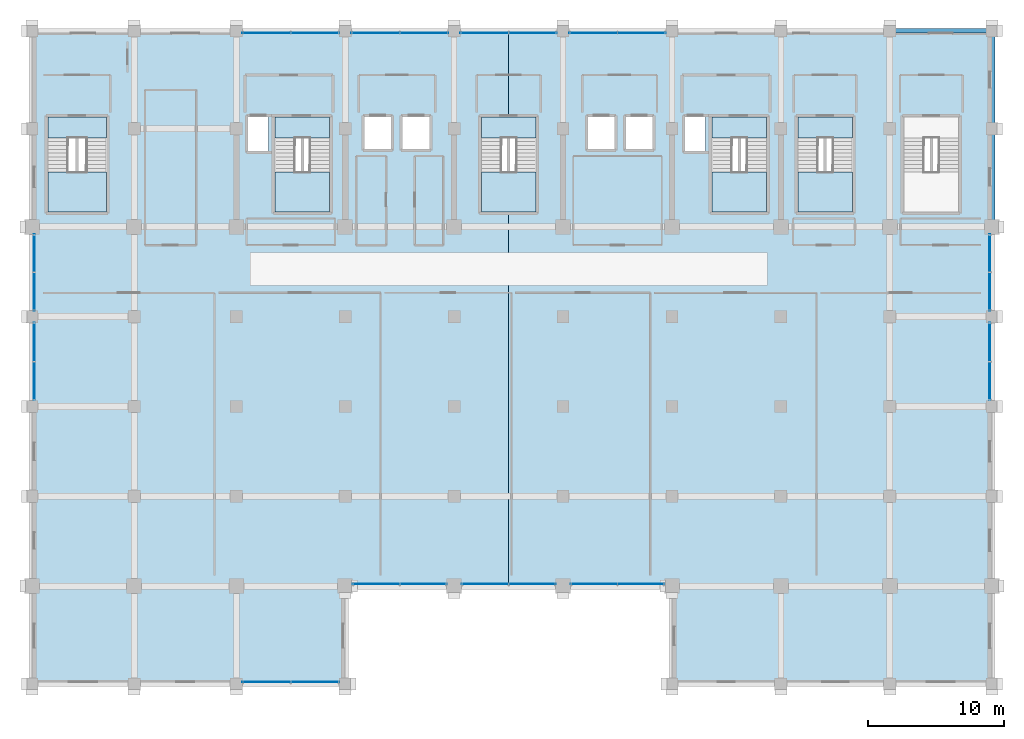
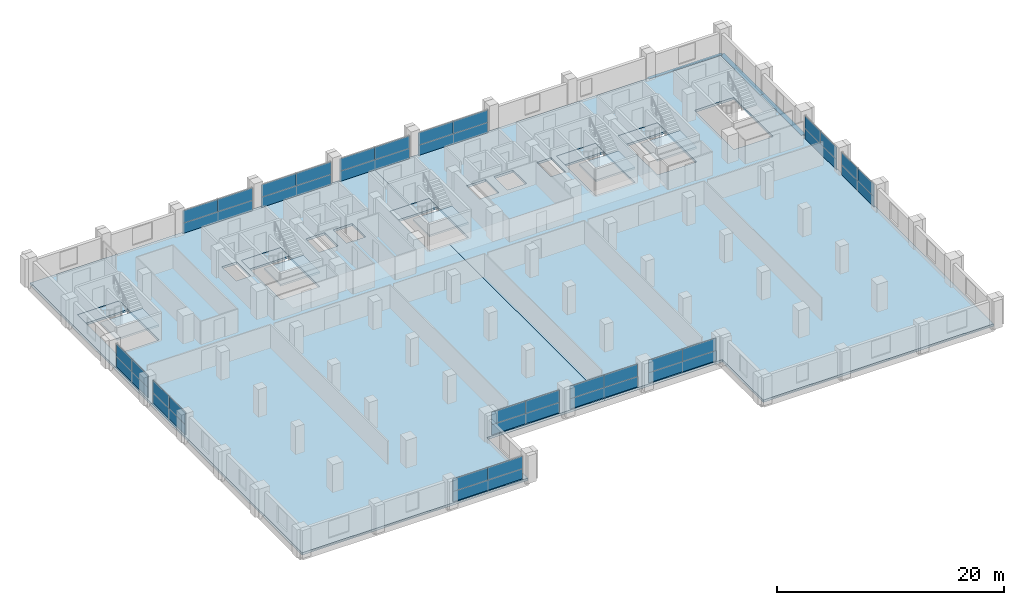
# One storey, part 15 of 21: 36 plates, 12 slabs, 3 beams, 17 elements without a shape of their own.
"""IFC4 building model written with IfcOpenShell, lengths in metres."""

import ifcopenshell
import ifcopenshell.guid

model = None  # the IFC model being written
_history = None  # IfcOwnerHistory: only IFC2X3 demands one
_inside = {}  # id of a spatial element -> (the spatial element, [elements in it])
_under = {}  # id of a project, library or spatial element -> (it, [spatial elements below it])
_declared = {}  # id of a project -> (the project, [libraries it declares])
_typed = {}  # id of a type object -> (the type object, [elements of that type])
_made_of = {}  # id of a material, layer set ... -> (it, [elements and type objects made of it])


def new_model(schema):
    """Start an empty IFC model of exactly this schema.

    Asked for "IFC4X3", IfcOpenShell would pick the latest addendum, in which some entities
    have other attributes; the version numbers below select the first issue.
    IFC2X3 requires an IfcOwnerHistory on every rooted entity: one is made here for all.
    """
    global model, _history
    if schema == "IFC4X3":
        model = ifcopenshell.file(schema_version=(4, 3, 0, 0))
    else:
        model = ifcopenshell.file(schema=schema)
    _inside.clear()
    _under.clear()
    _declared.clear()
    _typed.clear()
    _made_of.clear()
    _history = None
    if model.schema == "IFC2X3":
        org = make("IfcOrganization", Name="unknown")
        user = make(
            "IfcPersonAndOrganization",
            ThePerson=make("IfcPerson", FamilyName="unknown"),
            TheOrganization=org,
        )
        app = make(
            "IfcApplication",
            ApplicationDeveloper=org,
            Version="unknown",
            ApplicationFullName="unknown",
            ApplicationIdentifier="unknown",
        )
        _history = make(
            "IfcOwnerHistory",
            OwningUser=user,
            OwningApplication=app,
            ChangeAction="ADDED",
            CreationDate=0,
        )
    return model


def make(cls, **values):
    """One entity of the class cls with the attributes given. An attribute that is None is left unset."""
    return model.create_entity(
        cls, **{name: value for name, value in values.items() if value is not None}
    )


def rooted(cls, **values):
    """An entity with a GlobalId (a new one), such as an element, a storey or a relation."""
    return make(cls, GlobalId=ifcopenshell.guid.new(), OwnerHistory=_history, **values)


def si_unit(unit_type, name, prefix=None):
    """IfcSIUnit, for example si_unit("LENGTHUNIT", "METRE", prefix="MILLI")."""
    return make("IfcSIUnit", UnitType=unit_type, Prefix=prefix, Name=name)


def assignment(units):
    """IfcUnitAssignment: the units of a project."""
    return None if units is None else make("IfcUnitAssignment", Units=units)


def point(xyz):
    """IfcCartesianPoint."""
    return None if xyz is None else make("IfcCartesianPoint", Coordinates=xyz)


def direction(xyz):
    """IfcDirection."""
    return None if xyz is None else make("IfcDirection", DirectionRatios=xyz)


def frame(location, z_axis=None, x_axis=None):
    """IfcAxis2Placement3D, a coordinate frame: its origin and axes. An axis left out is left unset."""
    return make(
        "IfcAxis2Placement3D",
        Location=point(location),
        Axis=direction(z_axis),
        RefDirection=direction(x_axis),
    )


def frame_2d(location, x_axis=None):
    """IfcAxis2Placement2D, a coordinate frame in the plane: its origin and x axis."""
    return make(
        "IfcAxis2Placement2D", Location=point(location), RefDirection=direction(x_axis)
    )


def origin():
    """The frame at (0, 0, 0) with its axes left unset."""
    return frame((0.0, 0.0, 0.0))


def origin_2d():
    """The frame at (0, 0) in the plane with its x axis left unset."""
    return frame_2d((0.0, 0.0))


def place(relative_to, where):
    """IfcLocalPlacement: puts the frame where relative to a parent placement (None: the world)."""
    return make(
        "IfcLocalPlacement", PlacementRelTo=relative_to, RelativePlacement=where
    )


def context(
    kind, dimensions, precision=None, world=None, true_north=None, identifier=None
):
    """IfcGeometricRepresentationContext, for example the 3D "Model" context."""
    return make(
        "IfcGeometricRepresentationContext",
        ContextIdentifier=identifier,
        ContextType=kind,
        CoordinateSpaceDimension=dimensions,
        Precision=precision,
        WorldCoordinateSystem=world,
        TrueNorth=true_north,
    )


def subcontext(parent, identifier, kind, view, scale=None):
    """IfcGeometricRepresentationSubContext, for example "Body" below "Model"."""
    return make(
        "IfcGeometricRepresentationSubContext",
        ContextIdentifier=identifier,
        ContextType=kind,
        ParentContext=parent,
        TargetScale=scale,
        TargetView=view,
    )


def project(units=None, contexts=None):
    """IfcProject with its units and contexts."""
    return rooted(
        "IfcProject",
        Name="project",
        RepresentationContexts=contexts,
        UnitsInContext=assignment(units),
    )


def spatial(cls, under=None, at=None, **own):
    """A site, building, storey or space (cls), placed at a placement, below another one or the project."""
    s = rooted(cls, ObjectPlacement=at, **own)
    if under is not None:
        _under.setdefault(under.id(), (under, []))[1].append(s)
    return s


def polyline(points):
    """IfcPolyline through the points."""
    return make("IfcPolyline", Points=[point(p) for p in points])


def profile(cls, at=None, kind="AREA", **sizes):
    """A parametric profile (cls). Its sizes go by their IFC names, for example OverallWidth=200.0."""
    return make(cls, ProfileType=kind, Position=at, **sizes)


def rectangle(**sizes):
    """IfcRectangleProfileDef."""
    return profile("IfcRectangleProfileDef", **sizes)


def outline(outer, holes=None, kind="AREA"):
    """IfcArbitraryClosedProfileDef: a profile drawn as a closed curve; with holes, ...WithVoids."""
    if holes is None:
        return make("IfcArbitraryClosedProfileDef", ProfileType=kind, OuterCurve=outer)
    return make(
        "IfcArbitraryProfileDefWithVoids",
        ProfileType=kind,
        OuterCurve=outer,
        InnerCurves=holes,
    )


def extrude(swept, where, along, depth):
    """IfcExtrudedAreaSolid: the profile swept, set in the frame where, extruded along a direction by depth."""
    return make(
        "IfcExtrudedAreaSolid",
        SweptArea=swept,
        Position=where,
        ExtrudedDirection=direction(along),
        Depth=depth,
    )


def shape(context_of_items, identifier, shape_type, items):
    """IfcShapeRepresentation: the items that make up one representation, for example the "Body"."""
    return make(
        "IfcShapeRepresentation",
        ContextOfItems=context_of_items,
        RepresentationIdentifier=identifier,
        RepresentationType=shape_type,
        Items=items,
    )


def material(Name=None, Category=None):
    """IfcMaterial."""
    return make("IfcMaterial", Name=Name, Category=Category)


def layer(
    of_material, thickness, ventilated=None, Name=None, Category=None, Priority=None
):
    """IfcMaterialLayer: one layer of a wall or slab, of a material (None: an air gap)."""
    return make(
        "IfcMaterialLayer",
        Material=of_material,
        LayerThickness=thickness,
        IsVentilated=ventilated,
        Name=Name,
        Category=Category,
        Priority=Priority,
    )


def layer_set(layers, Name=None):
    """IfcMaterialLayerSet."""
    return make("IfcMaterialLayerSet", MaterialLayers=layers, LayerSetName=Name)


def material_profile(
    of_material, cross_section, Name=None, Category=None, Priority=None
):
    """IfcMaterialProfile: a cross section and its material."""
    return make(
        "IfcMaterialProfile",
        Name=Name,
        Material=of_material,
        Profile=cross_section,
        Priority=Priority,
        Category=Category,
    )


def profile_set(profiles, Name=None, composite=None):
    """IfcMaterialProfileSet."""
    return make(
        "IfcMaterialProfileSet",
        Name=Name,
        MaterialProfiles=profiles,
        CompositeProfile=composite,
    )


def made_of(thing, what):
    """Note that an element or type object is made of a material, layer set ...; save() writes the relation."""
    if what is not None:
        _made_of.setdefault(what.id(), (what, []))[1].append(thing)
    return thing


def type_object(cls, material=None, **own):
    """A type object (cls), such as IfcWallType, which elements share."""
    return made_of(rooted(cls, **own), material)


def element(
    cls,
    number,
    at=None,
    inside=None,
    cuts=None,
    type_object=None,
    material=None,
    context=None,
    identifier="Body",
    shape_type=None,
    held_by="IfcProductDefinitionShape",
    body=None,
    shapes=None,
    **own,
):
    """One element of the class cls, such as IfcWall. Its Tag is "e" and its number.

    at: its placement. inside: the storey or other place that contains it. cuts: it is an
    opening in that element (IfcRelVoidsElement). A single representation is given by context,
    identifier, shape_type and body (its items); several are given by shapes. held_by: the class
    of the entity that holds the representations. save() writes the other relations.
    """
    e = rooted(cls, Tag="e%d" % number, ObjectPlacement=at, **own)
    if body is not None:
        shapes = [shape(context, identifier, shape_type, body)]
    if shapes is not None:
        e.Representation = make(held_by, Representations=shapes)
    if inside is not None:
        _inside.setdefault(inside.id(), (inside, []))[1].append(e)
    if cuts is not None:
        rooted(
            "IfcRelVoidsElement", RelatingBuildingElement=cuts, RelatedOpeningElement=e
        )
    if type_object is not None:
        _typed.setdefault(type_object.id(), (type_object, []))[1].append(e)
    return made_of(e, material)


def aggregate(whole, parts):
    """IfcRelAggregates: a whole, such as a stair, and the parts it consists of."""
    return rooted("IfcRelAggregates", RelatingObject=whole, RelatedObjects=parts)


def save(model, path):
    """Write the relations noted so far, then the file.

    IfcRelAggregates (storeys below a building ...), IfcRelContainedInSpatialStructure (elements
    in a storey), IfcRelDefinesByType, IfcRelAssociatesMaterial and IfcRelDeclares: one each for
    every whole, place, type object, material and project.
    """
    for whole, parts in _under.values():
        aggregate(whole, parts)
    for where, things in _inside.values():
        rooted(
            "IfcRelContainedInSpatialStructure",
            RelatedElements=things,
            RelatingStructure=where,
        )
    for kind, things in _typed.values():
        rooted("IfcRelDefinesByType", RelatedObjects=things, RelatingType=kind)
    for what, things in _made_of.values():
        rooted("IfcRelAssociatesMaterial", RelatedObjects=things, RelatingMaterial=what)
    for by, libraries in _declared.values():
        rooted("IfcRelDeclares", RelatingContext=by, RelatedDefinitions=libraries)
    model.write(path)


model = new_model("IFC4")

# Units and contexts
model_context = context("Model", 3, precision=1e-05, world=origin(), true_north=direction((0.0, 1.0)))
body_context = subcontext(model_context, "Body", "Model", "MODEL_VIEW")
ifc_project = project(units=[si_unit("LENGTHUNIT", "METRE"), si_unit("AREAUNIT", "SQUARE_METRE"), si_unit("VOLUMEUNIT", "CUBIC_METRE"), si_unit("PLANEANGLEUNIT", "RADIAN"), si_unit("MASSUNIT", "GRAM", prefix="KILO")], contexts=[model_context])

# Site, building, storey
site_placement = place(None, origin())
site = spatial("IfcSite", under=ifc_project, at=site_placement, CompositionType="ELEMENT")
building_placement = place(site_placement, origin())
building = spatial("IfcBuilding", under=site, at=building_placement, Name="Akrevak Sports Hall", CompositionType="ELEMENT")
storey_placement = place(building_placement, frame((0.0, 0.0, 34.050048828125)))
storey = spatial("IfcBuildingStorey", under=building, at=storey_placement, Name="L07", CompositionType="ELEMENT", Elevation=34.050048828125)

# Beams
ifc_material_1 = material(Name="Concrete C40/50", Category="concrete")
ifc_material_profile_1 = material_profile(ifc_material_1, rectangle(XDim=0.449951171875, YDim=0.699951171875, at=origin_2d()), Name="BM 450x700", Category="concrete")
ifc_profile_set_1 = profile_set([ifc_material_profile_1], Name="Concrete C40/50")
beam_type_1 = type_object("IfcBeamType", Name="STR-BM-RC450x700", PredefinedType="BEAM", material=ifc_profile_set_1)
beam_1_placement = place(storey_placement, frame((115.5, 55.199951171875, -0.35009765625), z_axis=(0.0, 1.0, 0.0), x_axis=(-1.0, 0.0, 0.0)))
element("IfcBeam", 1, at=beam_1_placement, inside=storey, type_object=beam_type_1, Name="Girder 16/I-J (L07)", PredefinedType="BEAM", context=body_context, shape_type="SweptSolid", body=[
    extrude(rectangle(XDim=0.449951171875, YDim=0.699951171875, at=origin_2d()), origin(), (0.0, 0.0, 1.0), 7.199951171875),
])
beam_2_placement = place(storey_placement, frame((115.5, 62.39990234375, -0.35009765625), z_axis=(0.0, 1.0, 0.0), x_axis=(-1.0, 0.0, 0.0)))
element("IfcBeam", 2, at=beam_2_placement, inside=storey, type_object=beam_type_1, Name="Girder 16/J-K (L07)", PredefinedType="BEAM", context=body_context, shape_type="SweptSolid", body=[
    extrude(rectangle(XDim=0.449951171875, YDim=0.699951171875, at=origin_2d()), origin(), (0.0, 0.0, 1.0), 7.2001953125),
])
ifc_material_profile_2 = material_profile(ifc_material_1, rectangle(XDim=0.320068359375, YDim=0.679931640625, at=origin_2d()), Name="SPD 320x680", Category="concrete")
ifc_profile_set_2 = profile_set([ifc_material_profile_2], Name="Concrete C40/50")
beam_type_2 = type_object("IfcBeamType", Name="STR-SPD-RC320x680", PredefinedType="SPANDREL", material=ifc_profile_set_2)
beam_3_placement = place(storey_placement, frame((108.0, 69.60009765625, -0.340087890625), z_axis=(1.0, 0.0, 0.0), x_axis=(0.0, 1.0, 0.0)))
element("IfcBeam", 3, at=beam_3_placement, inside=storey, type_object=beam_type_2, Name="Girder K/15-16 (L07)", PredefinedType="SPANDREL", context=body_context, shape_type="SweptSolid", body=[
    extrude(rectangle(XDim=0.320068359375, YDim=0.679931640625, at=origin_2d()), origin(), (0.0, 0.0, 1.0), 7.5),
])

# Curtain wall, plates
ifc_material_2 = material(Name="Anodized Bronze Aluminium & Low-E Glass", Category="aluminium")
curtain_wall_type = type_object("IfcCurtainWallType", Name="ARC-CW-TWR-56x30", PredefinedType="NOTDEFINED", material=ifc_material_2)
curtain_wall_1_placement = place(storey_placement, origin())
curtain_wall_1 = element("IfcCurtainWall", 4, at=curtain_wall_1_placement, inside=storey, type_object=curtain_wall_type, Name="Curtain Wall CW-L07-S03", PredefinedType="NOTDEFINED")
ifc_material_3 = material(Name="Double Low-E Tempered Glass", Category="glass")
ifc_layer_1 = layer(ifc_material_3, 0.031982421875, Name="Double Low-E Tempered Glass")
ifc_layer_set_1 = layer_set([ifc_layer_1], Name="Double Low-E Tempered Glass")
plate_type_1 = type_object("IfcPlateType", Name="ARC-CWP-GLZ-32", PredefinedType="CURTAIN_PANEL", material=ifc_layer_set_1)
plate_1_placement = place(storey_placement, frame((62.22509765625, 21.760009765625, 1.099853515625), z_axis=(0.0, 0.0, 1.0), x_axis=(1.0, 0.0, 0.0)))
plate_1 = element("IfcPlate", 5, at=plate_1_placement, type_object=plate_type_1, Name="Vision Glass Panel CW-L07-S03-G1", PredefinedType="CURTAIN_PANEL", context=body_context, shape_type="SweptSolid", body=[
    extrude(rectangle(XDim=3.550048828125, YDim=0.035888671875, at=origin_2d()), origin(), (0.0, 0.0, 1.0), 1.35009765625),
])
plate_2_placement = place(storey_placement, frame((65.77490234375, 21.760009765625, 1.099853515625), z_axis=(0.0, 0.0, 1.0), x_axis=(1.0, 0.0, 0.0)))
plate_2 = element("IfcPlate", 6, at=plate_2_placement, type_object=plate_type_1, Name="Vision Glass Panel CW-L07-S03-G2", PredefinedType="CURTAIN_PANEL", context=body_context, shape_type="SweptSolid", body=[
    extrude(rectangle(XDim=3.550048828125, YDim=0.035888671875, at=origin_2d()), origin(), (0.0, 0.0, 1.0), 1.35009765625),
])

curtain_wall_2_placement = place(storey_placement, origin())
curtain_wall_2 = element("IfcCurtainWall", 7, at=curtain_wall_2_placement, inside=storey, type_object=curtain_wall_type, Name="Curtain Wall CW-L07-S05", PredefinedType="NOTDEFINED")
plate_3_placement = place(storey_placement, frame((70.27490234375, 28.9599609375, 1.099853515625), z_axis=(0.0, 0.0, 1.0), x_axis=(1.0, 0.0, 0.0)))
plate_3 = element("IfcPlate", 8, at=plate_3_placement, type_object=plate_type_1, Name="Vision Glass Panel CW-L07-S05-G1", PredefinedType="CURTAIN_PANEL", context=body_context, shape_type="SweptSolid", body=[
    extrude(rectangle(XDim=3.449951171875, YDim=0.035888671875, at=origin_2d()), origin(), (0.0, 0.0, 1.0), 1.35009765625),
])
plate_4_placement = place(storey_placement, frame((73.72509765625, 28.9599609375, 1.099853515625), z_axis=(0.0, 0.0, 1.0), x_axis=(1.0, 0.0, 0.0)))
plate_4 = element("IfcPlate", 9, at=plate_4_placement, type_object=plate_type_1, Name="Vision Glass Panel CW-L07-S05-G2", PredefinedType="CURTAIN_PANEL", context=body_context, shape_type="SweptSolid", body=[
    extrude(rectangle(XDim=3.449951171875, YDim=0.035888671875, at=origin_2d()), origin(), (0.0, 0.0, 1.0), 1.35009765625),
])

curtain_wall_3_placement = place(storey_placement, origin())
curtain_wall_3 = element("IfcCurtainWall", 10, at=curtain_wall_3_placement, inside=storey, type_object=curtain_wall_type, Name="Curtain Wall CW-L07-S06", PredefinedType="NOTDEFINED")
plate_5_placement = place(storey_placement, frame((78.27490234375, 28.9599609375, 1.099853515625), z_axis=(0.0, 0.0, 1.0), x_axis=(1.0, 0.0, 0.0)))
plate_5 = element("IfcPlate", 11, at=plate_5_placement, type_object=plate_type_1, Name="Vision Glass Panel CW-L07-S06-G1", PredefinedType="CURTAIN_PANEL", context=body_context, shape_type="SweptSolid", body=[
    extrude(rectangle(XDim=3.449951171875, YDim=0.035888671875, at=origin_2d()), origin(), (0.0, 0.0, 1.0), 1.35009765625),
])
plate_6_placement = place(storey_placement, frame((81.72509765625, 28.9599609375, 1.099853515625), z_axis=(0.0, 0.0, 1.0), x_axis=(1.0, 0.0, 0.0)))
plate_6 = element("IfcPlate", 12, at=plate_6_placement, type_object=plate_type_1, Name="Vision Glass Panel CW-L07-S06-G2", PredefinedType="CURTAIN_PANEL", context=body_context, shape_type="SweptSolid", body=[
    extrude(rectangle(XDim=3.449951171875, YDim=0.035888671875, at=origin_2d()), origin(), (0.0, 0.0, 1.0), 1.35009765625),
])

curtain_wall_4_placement = place(storey_placement, origin())
curtain_wall_4 = element("IfcCurtainWall", 13, at=curtain_wall_4_placement, inside=storey, type_object=curtain_wall_type, Name="Curtain Wall CW-L07-S07", PredefinedType="NOTDEFINED")
plate_7_placement = place(storey_placement, frame((86.27490234375, 28.9599609375, 1.099853515625), z_axis=(0.0, 0.0, 1.0), x_axis=(1.0, 0.0, 0.0)))
plate_7 = element("IfcPlate", 14, at=plate_7_placement, type_object=plate_type_1, Name="Vision Glass Panel CW-L07-S07-G1", PredefinedType="CURTAIN_PANEL", context=body_context, shape_type="SweptSolid", body=[
    extrude(rectangle(XDim=3.449951171875, YDim=0.035888671875, at=origin_2d()), origin(), (0.0, 0.0, 1.0), 1.35009765625),
])
plate_8_placement = place(storey_placement, frame((89.72509765625, 28.9599609375, 1.099853515625), z_axis=(0.0, 0.0, 1.0), x_axis=(1.0, 0.0, 0.0)))
plate_8 = element("IfcPlate", 15, at=plate_8_placement, type_object=plate_type_1, Name="Vision Glass Panel CW-L07-S07-G2", PredefinedType="CURTAIN_PANEL", context=body_context, shape_type="SweptSolid", body=[
    extrude(rectangle(XDim=3.449951171875, YDim=0.035888671875, at=origin_2d()), origin(), (0.0, 0.0, 1.0), 1.35009765625),
])

curtain_wall_5_placement = place(storey_placement, origin())
curtain_wall_5 = element("IfcCurtainWall", 16, at=curtain_wall_5_placement, inside=storey, type_object=curtain_wall_type, Name="Curtain Wall CW-L07-E15", PredefinedType="NOTDEFINED")
plate_9_placement = place(storey_placement, frame((115.340087890625, 43.875, 1.099853515625), z_axis=(0.0, 0.0, 1.0), x_axis=(0.0, 1.0, 0.0)))
plate_9 = element("IfcPlate", 17, at=plate_9_placement, type_object=plate_type_1, Name="Vision Glass Panel CW-L07-E15-G1", PredefinedType="CURTAIN_PANEL", context=body_context, shape_type="SweptSolid", body=[
    extrude(rectangle(XDim=2.85009765625, YDim=0.035888671875, at=origin_2d()), origin(), (0.0, 0.0, 1.0), 1.35009765625),
])
plate_10_placement = place(storey_placement, frame((115.340087890625, 46.72509765625, 1.099853515625), z_axis=(0.0, 0.0, 1.0), x_axis=(0.0, 1.0, 0.0)))
plate_10 = element("IfcPlate", 18, at=plate_10_placement, type_object=plate_type_1, Name="Vision Glass Panel CW-L07-E15-G2", PredefinedType="CURTAIN_PANEL", context=body_context, shape_type="SweptSolid", body=[
    extrude(rectangle(XDim=2.85009765625, YDim=0.035888671875, at=origin_2d()), origin(), (0.0, 0.0, 1.0), 1.35009765625),
])

curtain_wall_6_placement = place(storey_placement, origin())
curtain_wall_6 = element("IfcCurtainWall", 19, at=curtain_wall_6_placement, inside=storey, type_object=curtain_wall_type, Name="Curtain Wall CW-L07-E16", PredefinedType="NOTDEFINED")
plate_11_placement = place(storey_placement, frame((115.340087890625, 50.449951171875, 1.099853515625), z_axis=(0.0, 0.0, 1.0), x_axis=(0.0, 1.0, 0.0)))
plate_11 = element("IfcPlate", 20, at=plate_11_placement, type_object=plate_type_1, Name="Vision Glass Panel CW-L07-E16-G1", PredefinedType="CURTAIN_PANEL", context=body_context, shape_type="SweptSolid", body=[
    extrude(rectangle(XDim=2.800048828125, YDim=0.035888671875, at=origin_2d()), origin(), (0.0, 0.0, 1.0), 1.35009765625),
])
plate_12_placement = place(storey_placement, frame((115.340087890625, 53.25, 1.099853515625), z_axis=(0.0, 0.0, 1.0), x_axis=(0.0, 1.0, 0.0)))
plate_12 = element("IfcPlate", 21, at=plate_12_placement, type_object=plate_type_1, Name="Vision Glass Panel CW-L07-E16-G2", PredefinedType="CURTAIN_PANEL", context=body_context, shape_type="SweptSolid", body=[
    extrude(rectangle(XDim=2.800048828125, YDim=0.035888671875, at=origin_2d()), origin(), (0.0, 0.0, 1.0), 1.35009765625),
])

curtain_wall_7_placement = place(storey_placement, origin())
curtain_wall_7 = element("IfcCurtainWall", 22, at=curtain_wall_7_placement, inside=storey, type_object=curtain_wall_type, Name="Curtain Wall CW-L07-N22", PredefinedType="NOTDEFINED")
plate_13_placement = place(storey_placement, frame((89.77490234375, 69.43994140625, 1.099853515625), z_axis=(0.0, 0.0, 1.0), x_axis=(-1.0, 0.0, 0.0)))
plate_13 = element("IfcPlate", 23, at=plate_13_placement, type_object=plate_type_1, Name="Vision Glass Panel CW-L07-N22-G1", PredefinedType="CURTAIN_PANEL", context=body_context, shape_type="SweptSolid", body=[
    extrude(rectangle(XDim=3.550048828125, YDim=0.035888671875, at=origin_2d()), origin(), (0.0, 0.0, 1.0), 1.35009765625),
])
plate_14_placement = place(storey_placement, frame((86.22509765625, 69.43994140625, 1.099853515625), z_axis=(0.0, 0.0, 1.0), x_axis=(-1.0, 0.0, 0.0)))
plate_14 = element("IfcPlate", 24, at=plate_14_placement, type_object=plate_type_1, Name="Vision Glass Panel CW-L07-N22-G2", PredefinedType="CURTAIN_PANEL", context=body_context, shape_type="SweptSolid", body=[
    extrude(rectangle(XDim=3.550048828125, YDim=0.035888671875, at=origin_2d()), origin(), (0.0, 0.0, 1.0), 1.35009765625),
])

curtain_wall_8_placement = place(storey_placement, origin())
curtain_wall_8 = element("IfcCurtainWall", 25, at=curtain_wall_8_placement, inside=storey, type_object=curtain_wall_type, Name="Curtain Wall CW-L07-N23", PredefinedType="NOTDEFINED")
plate_15_placement = place(storey_placement, frame((81.77490234375, 69.43994140625, 1.099853515625), z_axis=(0.0, 0.0, 1.0), x_axis=(-1.0, 0.0, 0.0)))
plate_15 = element("IfcPlate", 26, at=plate_15_placement, type_object=plate_type_1, Name="Vision Glass Panel CW-L07-N23-G1", PredefinedType="CURTAIN_PANEL", context=body_context, shape_type="SweptSolid", body=[
    extrude(rectangle(XDim=3.550048828125, YDim=0.035888671875, at=origin_2d()), origin(), (0.0, 0.0, 1.0), 1.35009765625),
])
plate_16_placement = place(storey_placement, frame((78.22509765625, 69.43994140625, 1.099853515625), z_axis=(0.0, 0.0, 1.0), x_axis=(-1.0, 0.0, 0.0)))
plate_16 = element("IfcPlate", 27, at=plate_16_placement, type_object=plate_type_1, Name="Vision Glass Panel CW-L07-N23-G2", PredefinedType="CURTAIN_PANEL", context=body_context, shape_type="SweptSolid", body=[
    extrude(rectangle(XDim=3.550048828125, YDim=0.035888671875, at=origin_2d()), origin(), (0.0, 0.0, 1.0), 1.35009765625),
])

curtain_wall_9_placement = place(storey_placement, origin())
curtain_wall_9 = element("IfcCurtainWall", 28, at=curtain_wall_9_placement, inside=storey, type_object=curtain_wall_type, Name="Curtain Wall CW-L07-N24", PredefinedType="NOTDEFINED")
plate_17_placement = place(storey_placement, frame((73.77490234375, 69.43994140625, 1.099853515625), z_axis=(0.0, 0.0, 1.0), x_axis=(-1.0, 0.0, 0.0)))
plate_17 = element("IfcPlate", 29, at=plate_17_placement, type_object=plate_type_1, Name="Vision Glass Panel CW-L07-N24-G1", PredefinedType="CURTAIN_PANEL", context=body_context, shape_type="SweptSolid", body=[
    extrude(rectangle(XDim=3.550048828125, YDim=0.035888671875, at=origin_2d()), origin(), (0.0, 0.0, 1.0), 1.35009765625),
])
plate_18_placement = place(storey_placement, frame((70.22509765625, 69.43994140625, 1.099853515625), z_axis=(0.0, 0.0, 1.0), x_axis=(-1.0, 0.0, 0.0)))
plate_18 = element("IfcPlate", 30, at=plate_18_placement, type_object=plate_type_1, Name="Vision Glass Panel CW-L07-N24-G2", PredefinedType="CURTAIN_PANEL", context=body_context, shape_type="SweptSolid", body=[
    extrude(rectangle(XDim=3.550048828125, YDim=0.035888671875, at=origin_2d()), origin(), (0.0, 0.0, 1.0), 1.35009765625),
])

curtain_wall_10_placement = place(storey_placement, origin())
curtain_wall_10 = element("IfcCurtainWall", 31, at=curtain_wall_10_placement, inside=storey, type_object=curtain_wall_type, Name="Curtain Wall CW-L07-N25", PredefinedType="NOTDEFINED")
plate_19_placement = place(storey_placement, frame((65.77490234375, 69.43994140625, 1.099853515625), z_axis=(0.0, 0.0, 1.0), x_axis=(-1.0, 0.0, 0.0)))
plate_19 = element("IfcPlate", 32, at=plate_19_placement, type_object=plate_type_1, Name="Vision Glass Panel CW-L07-N25-G1", PredefinedType="CURTAIN_PANEL", context=body_context, shape_type="SweptSolid", body=[
    extrude(rectangle(XDim=3.550048828125, YDim=0.035888671875, at=origin_2d()), origin(), (0.0, 0.0, 1.0), 1.35009765625),
])
plate_20_placement = place(storey_placement, frame((62.22509765625, 69.43994140625, 1.099853515625), z_axis=(0.0, 0.0, 1.0), x_axis=(-1.0, 0.0, 0.0)))
plate_20 = element("IfcPlate", 33, at=plate_20_placement, type_object=plate_type_1, Name="Vision Glass Panel CW-L07-N25-G2", PredefinedType="CURTAIN_PANEL", context=body_context, shape_type="SweptSolid", body=[
    extrude(rectangle(XDim=3.550048828125, YDim=0.035888671875, at=origin_2d()), origin(), (0.0, 0.0, 1.0), 1.35009765625),
])

curtain_wall_11_placement = place(storey_placement, origin())
curtain_wall_11 = element("IfcCurtainWall", 34, at=curtain_wall_11_placement, inside=storey, type_object=curtain_wall_type, Name="Curtain Wall CW-L07-W30", PredefinedType="NOTDEFINED")
plate_21_placement = place(storey_placement, frame((45.159912109375, 53.25, 1.099853515625), z_axis=(0.0, 0.0, 1.0), x_axis=(0.0, -1.0, 0.0)))
plate_21 = element("IfcPlate", 35, at=plate_21_placement, type_object=plate_type_1, Name="Vision Glass Panel CW-L07-W30-G1", PredefinedType="CURTAIN_PANEL", context=body_context, shape_type="SweptSolid", body=[
    extrude(rectangle(XDim=2.800048828125, YDim=0.035888671875, at=origin_2d()), origin(), (0.0, 0.0, 1.0), 1.35009765625),
])
plate_22_placement = place(storey_placement, frame((45.159912109375, 50.449951171875, 1.099853515625), z_axis=(0.0, 0.0, 1.0), x_axis=(0.0, -1.0, 0.0)))
plate_22 = element("IfcPlate", 36, at=plate_22_placement, type_object=plate_type_1, Name="Vision Glass Panel CW-L07-W30-G2", PredefinedType="CURTAIN_PANEL", context=body_context, shape_type="SweptSolid", body=[
    extrude(rectangle(XDim=2.800048828125, YDim=0.035888671875, at=origin_2d()), origin(), (0.0, 0.0, 1.0), 1.35009765625),
])

curtain_wall_12_placement = place(storey_placement, origin())
curtain_wall_12 = element("IfcCurtainWall", 37, at=curtain_wall_12_placement, inside=storey, type_object=curtain_wall_type, Name="Curtain Wall CW-L07-W31", PredefinedType="NOTDEFINED")
plate_23_placement = place(storey_placement, frame((45.159912109375, 46.72509765625, 1.099853515625), z_axis=(0.0, 0.0, 1.0), x_axis=(0.0, -1.0, 0.0)))
plate_23 = element("IfcPlate", 38, at=plate_23_placement, type_object=plate_type_1, Name="Vision Glass Panel CW-L07-W31-G1", PredefinedType="CURTAIN_PANEL", context=body_context, shape_type="SweptSolid", body=[
    extrude(rectangle(XDim=2.85009765625, YDim=0.035888671875, at=origin_2d()), origin(), (0.0, 0.0, 1.0), 1.35009765625),
])
plate_24_placement = place(storey_placement, frame((45.159912109375, 43.875, 1.099853515625), z_axis=(0.0, 0.0, 1.0), x_axis=(0.0, -1.0, 0.0)))
plate_24 = element("IfcPlate", 39, at=plate_24_placement, type_object=plate_type_1, Name="Vision Glass Panel CW-L07-W31-G2", PredefinedType="CURTAIN_PANEL", context=body_context, shape_type="SweptSolid", body=[
    extrude(rectangle(XDim=2.85009765625, YDim=0.035888671875, at=origin_2d()), origin(), (0.0, 0.0, 1.0), 1.35009765625),
])

# Plate
ifc_material_4 = material(Name="Insulated Bronze Spandrel Panel", Category="aluminium")
ifc_layer_2 = layer(ifc_material_4, 0.0400390625, Name="Insulated Bronze Spandrel Panel")
ifc_layer_set_2 = layer_set([ifc_layer_2], Name="Insulated Bronze Spandrel Panel")
plate_type_2 = type_object("IfcPlateType", Name="ARC-CWP-SPD-40", PredefinedType="CURTAIN_PANEL", material=ifc_layer_set_2)
plate_25_placement = place(storey_placement, frame((64.0, 21.760009765625, 0.0), z_axis=(0.0, 0.0, 1.0), x_axis=(1.0, 0.0, 0.0)))
plate_25 = element("IfcPlate", 40, at=plate_25_placement, type_object=plate_type_2, Name="Insulated Spandrel Panel CW-L07-S03-S1", PredefinedType="CURTAIN_PANEL", context=body_context, shape_type="SweptSolid", body=[
    extrude(rectangle(XDim=7.10009765625, YDim=0.0439453125, at=origin_2d()), origin(), (0.0, 0.0, 1.0), 1.10009765625),
])

aggregate(curtain_wall_1, [plate_1, plate_2, plate_25])

plate_26_placement = place(storey_placement, frame((72.0, 28.9599609375, 0.0), z_axis=(0.0, 0.0, 1.0), x_axis=(1.0, 0.0, 0.0)))
plate_26 = element("IfcPlate", 41, at=plate_26_placement, type_object=plate_type_2, Name="Insulated Spandrel Panel CW-L07-S05-S1", PredefinedType="CURTAIN_PANEL", context=body_context, shape_type="SweptSolid", body=[
    extrude(rectangle(XDim=6.89990234375, YDim=0.0439453125, at=origin_2d()), origin(), (0.0, 0.0, 1.0), 1.10009765625),
])

aggregate(curtain_wall_2, [plate_3, plate_4, plate_26])

plate_27_placement = place(storey_placement, frame((80.0, 28.9599609375, 0.0), z_axis=(0.0, 0.0, 1.0), x_axis=(1.0, 0.0, 0.0)))
plate_27 = element("IfcPlate", 42, at=plate_27_placement, type_object=plate_type_2, Name="Insulated Spandrel Panel CW-L07-S06-S1", PredefinedType="CURTAIN_PANEL", context=body_context, shape_type="SweptSolid", body=[
    extrude(rectangle(XDim=6.89990234375, YDim=0.0439453125, at=origin_2d()), origin(), (0.0, 0.0, 1.0), 1.10009765625),
])

aggregate(curtain_wall_3, [plate_5, plate_6, plate_27])

plate_28_placement = place(storey_placement, frame((88.0, 28.9599609375, 0.0), z_axis=(0.0, 0.0, 1.0), x_axis=(1.0, 0.0, 0.0)))
plate_28 = element("IfcPlate", 43, at=plate_28_placement, type_object=plate_type_2, Name="Insulated Spandrel Panel CW-L07-S07-S1", PredefinedType="CURTAIN_PANEL", context=body_context, shape_type="SweptSolid", body=[
    extrude(rectangle(XDim=6.89990234375, YDim=0.0439453125, at=origin_2d()), origin(), (0.0, 0.0, 1.0), 1.10009765625),
])

aggregate(curtain_wall_4, [plate_7, plate_8, plate_28])

plate_29_placement = place(storey_placement, frame((115.340087890625, 45.300048828125, 0.0), z_axis=(0.0, 0.0, 1.0), x_axis=(0.0, 1.0, 0.0)))
plate_29 = element("IfcPlate", 44, at=plate_29_placement, type_object=plate_type_2, Name="Insulated Spandrel Panel CW-L07-E15-S1", PredefinedType="CURTAIN_PANEL", context=body_context, shape_type="SweptSolid", body=[
    extrude(rectangle(XDim=5.699951171875, YDim=0.0439453125, at=origin_2d()), origin(), (0.0, 0.0, 1.0), 1.10009765625),
])

aggregate(curtain_wall_5, [plate_9, plate_10, plate_29])

plate_30_placement = place(storey_placement, frame((115.340087890625, 51.85009765625, 0.0), z_axis=(0.0, 0.0, 1.0), x_axis=(0.0, 1.0, 0.0)))
plate_30 = element("IfcPlate", 45, at=plate_30_placement, type_object=plate_type_2, Name="Insulated Spandrel Panel CW-L07-E16-S1", PredefinedType="CURTAIN_PANEL", context=body_context, shape_type="SweptSolid", body=[
    extrude(rectangle(XDim=5.60009765625, YDim=0.0439453125, at=origin_2d()), origin(), (0.0, 0.0, 1.0), 1.10009765625),
])

aggregate(curtain_wall_6, [plate_11, plate_12, plate_30])

plate_31_placement = place(storey_placement, frame((88.0, 69.43994140625, 0.0), z_axis=(0.0, 0.0, 1.0), x_axis=(-1.0, 0.0, 0.0)))
plate_31 = element("IfcPlate", 46, at=plate_31_placement, type_object=plate_type_2, Name="Insulated Spandrel Panel CW-L07-N22-S1", PredefinedType="CURTAIN_PANEL", context=body_context, shape_type="SweptSolid", body=[
    extrude(rectangle(XDim=7.10009765625, YDim=0.0439453125, at=origin_2d()), origin(), (0.0, 0.0, 1.0), 1.10009765625),
])

aggregate(curtain_wall_7, [plate_13, plate_14, plate_31])

plate_32_placement = place(storey_placement, frame((80.0, 69.43994140625, 0.0), z_axis=(0.0, 0.0, 1.0), x_axis=(-1.0, 0.0, 0.0)))
plate_32 = element("IfcPlate", 47, at=plate_32_placement, type_object=plate_type_2, Name="Insulated Spandrel Panel CW-L07-N23-S1", PredefinedType="CURTAIN_PANEL", context=body_context, shape_type="SweptSolid", body=[
    extrude(rectangle(XDim=7.10009765625, YDim=0.0439453125, at=origin_2d()), origin(), (0.0, 0.0, 1.0), 1.10009765625),
])

aggregate(curtain_wall_8, [plate_15, plate_16, plate_32])

plate_33_placement = place(storey_placement, frame((72.0, 69.43994140625, 0.0), z_axis=(0.0, 0.0, 1.0), x_axis=(-1.0, 0.0, 0.0)))
plate_33 = element("IfcPlate", 48, at=plate_33_placement, type_object=plate_type_2, Name="Insulated Spandrel Panel CW-L07-N24-S1", PredefinedType="CURTAIN_PANEL", context=body_context, shape_type="SweptSolid", body=[
    extrude(rectangle(XDim=7.10009765625, YDim=0.0439453125, at=origin_2d()), origin(), (0.0, 0.0, 1.0), 1.10009765625),
])

aggregate(curtain_wall_9, [plate_17, plate_18, plate_33])

plate_34_placement = place(storey_placement, frame((64.0, 69.43994140625, 0.0), z_axis=(0.0, 0.0, 1.0), x_axis=(-1.0, 0.0, 0.0)))
plate_34 = element("IfcPlate", 49, at=plate_34_placement, type_object=plate_type_2, Name="Insulated Spandrel Panel CW-L07-N25-S1", PredefinedType="CURTAIN_PANEL", context=body_context, shape_type="SweptSolid", body=[
    extrude(rectangle(XDim=7.10009765625, YDim=0.0439453125, at=origin_2d()), origin(), (0.0, 0.0, 1.0), 1.10009765625),
])

aggregate(curtain_wall_10, [plate_19, plate_20, plate_34])

plate_35_placement = place(storey_placement, frame((45.159912109375, 51.85009765625, 0.0), z_axis=(0.0, 0.0, 1.0), x_axis=(0.0, -1.0, 0.0)))
plate_35 = element("IfcPlate", 50, at=plate_35_placement, type_object=plate_type_2, Name="Insulated Spandrel Panel CW-L07-W30-S1", PredefinedType="CURTAIN_PANEL", context=body_context, shape_type="SweptSolid", body=[
    extrude(rectangle(XDim=5.60009765625, YDim=0.0439453125, at=origin_2d()), origin(), (0.0, 0.0, 1.0), 1.10009765625),
])

aggregate(curtain_wall_11, [plate_21, plate_22, plate_35])

plate_36_placement = place(storey_placement, frame((45.159912109375, 45.300048828125, 0.0), z_axis=(0.0, 0.0, 1.0), x_axis=(0.0, -1.0, 0.0)))
plate_36 = element("IfcPlate", 51, at=plate_36_placement, type_object=plate_type_2, Name="Insulated Spandrel Panel CW-L07-W31-S1", PredefinedType="CURTAIN_PANEL", context=body_context, shape_type="SweptSolid", body=[
    extrude(rectangle(XDim=5.699951171875, YDim=0.0439453125, at=origin_2d()), origin(), (0.0, 0.0, 1.0), 1.10009765625),
])

aggregate(curtain_wall_12, [plate_23, plate_24, plate_36])

# Slabs
ifc_layer_3 = layer(ifc_material_1, 0.25, Name="Concrete C40/50")
ifc_layer_set_3 = layer_set([ifc_layer_3], Name="Concrete C40/50")
slab_type_1 = type_object("IfcSlabType", Name="STR-SLB-FLR-250", PredefinedType="FLOOR", material=ifc_layer_set_3)
slab_1_placement = place(storey_placement, frame((0.0, 0.0, -0.25)))
element("IfcSlab", 52, at=slab_1_placement, inside=storey, type_object=slab_type_1, Name="Structural Floor Slab L07-1.1", PredefinedType="FLOOR", context=body_context, shape_type="SweptSolid", body=[
    extrude(outline(polyline([(45.0, 69.60009765625), (45.0, 21.60009765625), (68.0, 21.60009765625), (68.0, 28.800048828125), (80.0, 28.800048828125), (80.0, 56.300048828125), (78.0, 56.300048828125), (78.0, 63.25), (80.0, 63.25), (80.0, 69.60009765625), (45.0, 69.60009765625)]), holes=[polyline([(46.14990234375, 63.25), (50.449951171875, 63.25), (50.449951171875, 56.300048828125), (46.14990234375, 56.300048828125), (46.14990234375, 63.25)]), polyline([(66.85009765625, 63.25), (66.85009765625, 56.300048828125), (62.85009765625, 56.300048828125), (62.85009765625, 63.25), (66.85009765625, 63.25)]), polyline([(60.8701171875, 63.280029296875), (62.3798828125, 63.280029296875), (62.3798828125, 60.77001953125), (60.8701171875, 60.77001953125), (60.8701171875, 63.280029296875)]), polyline([(71.3798828125, 63.280029296875), (71.3798828125, 60.919921875), (69.419921875, 60.919921875), (69.419921875, 63.280029296875), (71.3798828125, 63.280029296875)]), polyline([(74.179931640625, 63.280029296875), (74.179931640625, 60.919921875), (72.219970703125, 60.919921875), (72.219970703125, 63.280029296875), (74.179931640625, 63.280029296875)])]), origin(), (0.0, 0.0, 1.0), 0.25),
])
slab_2_placement = place(storey_placement, frame((0.0, 0.0, -0.25)))
element("IfcSlab", 53, at=slab_2_placement, inside=storey, type_object=slab_type_1, Name="Structural Floor Slab L07-2.1", PredefinedType="FLOOR", context=body_context, shape_type="SweptSolid", body=[
    extrude(outline(polyline([(80.0, 69.60009765625), (80.0, 63.25), (82.0, 63.25), (82.0, 56.300048828125), (80.0, 56.300048828125), (80.0, 28.800048828125), (92.0, 28.800048828125), (92.0, 21.60009765625), (115.5, 21.60009765625), (115.5, 69.60009765625), (80.0, 69.60009765625)]), holes=[polyline([(94.949951171875, 63.25), (98.949951171875, 63.25), (98.949951171875, 56.300048828125), (94.949951171875, 56.300048828125), (94.949951171875, 63.25)]), polyline([(105.25, 63.25), (105.25, 56.300048828125), (101.25, 56.300048828125), (101.25, 63.25), (105.25, 63.25)]), polyline([(113.050048828125, 63.25), (113.050048828125, 56.300048828125), (109.050048828125, 56.300048828125), (109.050048828125, 63.25), (113.050048828125, 63.25)]), polyline([(92.969970703125, 63.280029296875), (94.47998046875, 63.280029296875), (94.47998046875, 60.77001953125), (92.969970703125, 60.77001953125), (92.969970703125, 63.280029296875)]), polyline([(87.780029296875, 63.280029296875), (87.780029296875, 60.919921875), (85.820068359375, 60.919921875), (85.820068359375, 63.280029296875), (87.780029296875, 63.280029296875)]), polyline([(90.580078125, 63.280029296875), (90.580078125, 60.919921875), (88.6201171875, 60.919921875), (88.6201171875, 63.280029296875), (90.580078125, 63.280029296875)])]), origin(), (0.0, 0.0, 1.0), 0.25),
])

# Stair, slab
stair_type_1 = type_object("IfcStairType", Name="ARC-STR-DOG-325", PredefinedType="HALF_TURN_STAIR", material=ifc_material_1)
stair_1_placement = place(storey_placement, origin())
stair_1 = element("IfcStair", 54, at=stair_1_placement, inside=storey, type_object=stair_type_1, Name="Protected Exit Stair ST1 (L07 to L08)", PredefinedType="HALF_TURN_STAIR")
ifc_layer_4 = layer(ifc_material_1, 0.199951171875, Name="Concrete C40/50")
ifc_layer_set_4 = layer_set([ifc_layer_4], Name="Concrete C40/50")
slab_type_2 = type_object("IfcSlabType", Name="STR-SLB-LAND-200", PredefinedType="LANDING", material=ifc_layer_set_4)
slab_3_placement = place(storey_placement, frame((0.0, 0.0, 1.425048828125)))
slab_3 = element("IfcSlab", 55, at=slab_3_placement, type_object=slab_type_2, Name="Stair ST1 Half-Landing 1 (L07)", PredefinedType="LANDING", context=body_context, shape_type="SweptSolid", body=[
    extrude(outline(polyline([(62.85009765625, 56.300048828125), (66.85009765625, 56.300048828125), (66.85009765625, 59.215087890625), (62.85009765625, 59.215087890625), (62.85009765625, 56.300048828125)])), origin(), (0.0, 0.0, 1.0), 0.199951171875),
])
aggregate(stair_1, [slab_3])

stair_2_placement = place(storey_placement, origin())
stair_2 = element("IfcStair", 56, at=stair_2_placement, inside=storey, type_object=stair_type_1, Name="Protected Exit Stair ST2 (L07 to L08)", PredefinedType="HALF_TURN_STAIR")
slab_4_placement = place(storey_placement, frame((0.0, 0.0, 1.425048828125)))
slab_4 = element("IfcSlab", 57, at=slab_4_placement, type_object=slab_type_2, Name="Stair ST2 Half-Landing 1 (L07)", PredefinedType="LANDING", context=body_context, shape_type="SweptSolid", body=[
    extrude(outline(polyline([(94.949951171875, 56.300048828125), (98.949951171875, 56.300048828125), (98.949951171875, 59.215087890625), (94.949951171875, 59.215087890625), (94.949951171875, 56.300048828125)])), origin(), (0.0, 0.0, 1.0), 0.199951171875),
])
aggregate(stair_2, [slab_4])

stair_3_placement = place(storey_placement, origin())
stair_3 = element("IfcStair", 58, at=stair_3_placement, inside=storey, type_object=stair_type_1, Name="Protected Exit Stair ST3 (L07 to L08)", PredefinedType="HALF_TURN_STAIR")
slab_5_placement = place(storey_placement, frame((0.0, 0.0, 1.425048828125)))
slab_5 = element("IfcSlab", 59, at=slab_5_placement, type_object=slab_type_2, Name="Stair ST3 Half-Landing 1 (L07)", PredefinedType="LANDING", context=body_context, shape_type="SweptSolid", body=[
    extrude(outline(polyline([(78.0, 56.300048828125), (82.0, 56.300048828125), (82.0, 59.215087890625), (78.0, 59.215087890625), (78.0, 56.300048828125)])), origin(), (0.0, 0.0, 1.0), 0.199951171875),
])
aggregate(stair_3, [slab_5])

stair_type_2 = type_object("IfcStairType", Name="ARC-STR-MDOG-325", PredefinedType="HALF_TURN_STAIR", material=ifc_material_1)
stair_4_placement = place(storey_placement, origin())
stair_4 = element("IfcStair", 60, at=stair_4_placement, inside=storey, type_object=stair_type_2, Name="Protected Exit Stair ST4 (L07 to L08)", PredefinedType="HALF_TURN_STAIR")
slab_6_placement = place(storey_placement, frame((0.0, 0.0, 1.425048828125)))
slab_6 = element("IfcSlab", 61, at=slab_6_placement, type_object=slab_type_2, Name="Stair ST4 Half-Landing 1 (L07)", PredefinedType="LANDING", context=body_context, shape_type="SweptSolid", body=[
    extrude(outline(polyline([(46.14990234375, 56.300048828125), (50.449951171875, 56.300048828125), (50.449951171875, 59.215087890625), (46.14990234375, 59.215087890625), (46.14990234375, 56.300048828125)])), origin(), (0.0, 0.0, 1.0), 0.199951171875),
])
aggregate(stair_4, [slab_6])

stair_5_placement = place(storey_placement, origin())
stair_5 = element("IfcStair", 62, at=stair_5_placement, inside=storey, type_object=stair_type_1, Name="East Wing Exit Stair ST10 (L07 to L08)", PredefinedType="HALF_TURN_STAIR")
slab_7_placement = place(storey_placement, frame((0.0, 0.0, 1.425048828125)))
slab_7 = element("IfcSlab", 63, at=slab_7_placement, type_object=slab_type_2, Name="Stair ST10 Half-Landing 1 (L07)", PredefinedType="LANDING", context=body_context, shape_type="SweptSolid", body=[
    extrude(outline(polyline([(101.25, 56.300048828125), (105.25, 56.300048828125), (105.25, 59.215087890625), (101.25, 59.215087890625), (101.25, 56.300048828125)])), origin(), (0.0, 0.0, 1.0), 0.199951171875),
])
aggregate(stair_5, [slab_7])

# Slabs
ifc_layer_5 = layer(ifc_material_1, 0.219970703125, Name="Concrete C40/50")
ifc_layer_set_5 = layer_set([ifc_layer_5], Name="Concrete C40/50")
slab_type_3 = type_object("IfcSlabType", Name="STR-SLB-LAND-220", PredefinedType="LANDING", material=ifc_layer_set_5)
slab_8_placement = place(storey_placement, frame((0.0, 0.0, -0.219970703125)))
element("IfcSlab", 64, at=slab_8_placement, inside=storey, type_object=slab_type_3, Name="Stair ST1 Floor Landing (L07)", PredefinedType="LANDING", context=body_context, shape_type="SweptSolid", body=[
    extrude(outline(polyline([(62.85009765625, 61.735107421875), (66.85009765625, 61.735107421875), (66.85009765625, 63.25), (62.85009765625, 63.25), (62.85009765625, 61.735107421875)])), origin(), (0.0, 0.0, 1.0), 0.219970703125),
])
slab_9_placement = place(storey_placement, frame((0.0, 0.0, -0.219970703125)))
element("IfcSlab", 65, at=slab_9_placement, inside=storey, type_object=slab_type_3, Name="Stair ST2 Floor Landing (L07)", PredefinedType="LANDING", context=body_context, shape_type="SweptSolid", body=[
    extrude(outline(polyline([(94.949951171875, 61.735107421875), (98.949951171875, 61.735107421875), (98.949951171875, 63.25), (94.949951171875, 63.25), (94.949951171875, 61.735107421875)])), origin(), (0.0, 0.0, 1.0), 0.219970703125),
])
slab_10_placement = place(storey_placement, frame((0.0, 0.0, -0.219970703125)))
element("IfcSlab", 66, at=slab_10_placement, inside=storey, type_object=slab_type_3, Name="Stair ST3 Floor Landing (L07)", PredefinedType="LANDING", context=body_context, shape_type="SweptSolid", body=[
    extrude(outline(polyline([(78.0, 61.735107421875), (82.0, 61.735107421875), (82.0, 63.25), (78.0, 63.25), (78.0, 61.735107421875)])), origin(), (0.0, 0.0, 1.0), 0.219970703125),
])
slab_11_placement = place(storey_placement, frame((0.0, 0.0, -0.219970703125)))
element("IfcSlab", 67, at=slab_11_placement, inside=storey, type_object=slab_type_3, Name="Stair ST4 Floor Landing (L07)", PredefinedType="LANDING", context=body_context, shape_type="SweptSolid", body=[
    extrude(outline(polyline([(46.14990234375, 61.735107421875), (50.449951171875, 61.735107421875), (50.449951171875, 63.25), (46.14990234375, 63.25), (46.14990234375, 61.735107421875)])), origin(), (0.0, 0.0, 1.0), 0.219970703125),
])
slab_12_placement = place(storey_placement, frame((0.0, 0.0, -0.219970703125)))
element("IfcSlab", 68, at=slab_12_placement, inside=storey, type_object=slab_type_3, Name="Stair ST10 Floor Landing (L07)", PredefinedType="LANDING", context=body_context, shape_type="SweptSolid", body=[
    extrude(outline(polyline([(101.25, 61.735107421875), (105.25, 61.735107421875), (105.25, 63.25), (101.25, 63.25), (101.25, 61.735107421875)])), origin(), (0.0, 0.0, 1.0), 0.219970703125),
])

save(model, "model.ifc")
